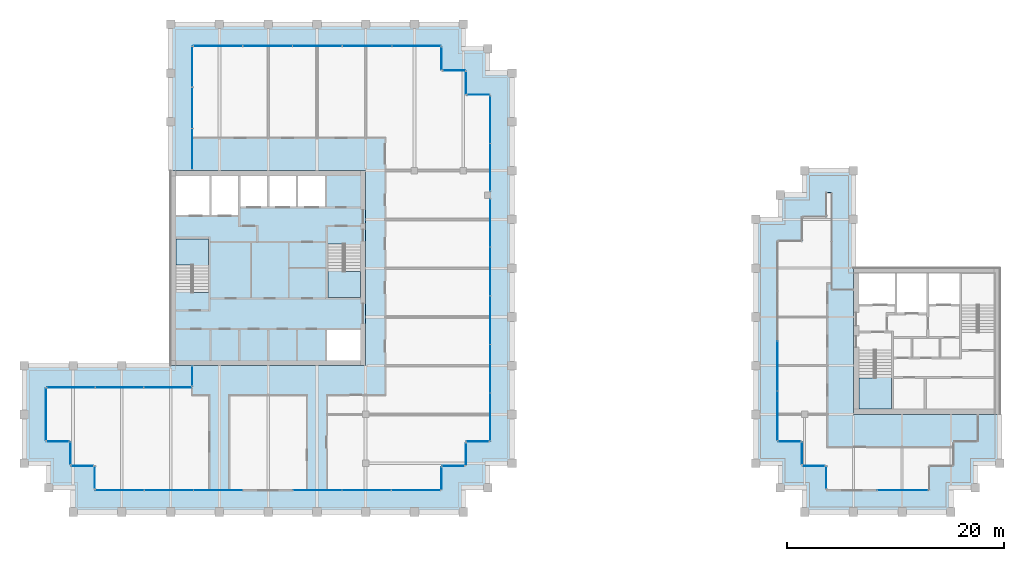
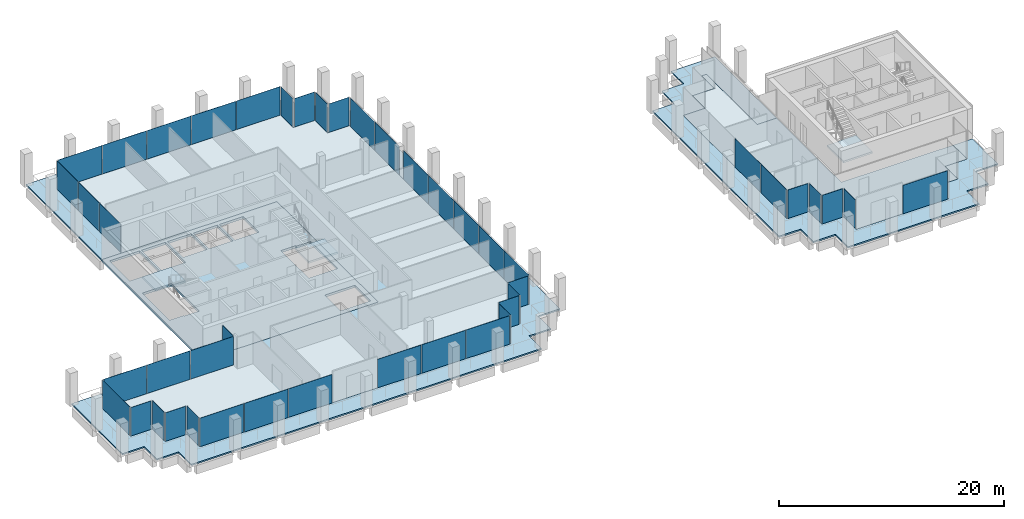
# One storey, part 34 of 41: 45 plates, 8 slabs, 30 elements without a shape of their own.
"""IFC4 building model written with IfcOpenShell, lengths in metres."""

from ifc_helpers import new_model, si_unit, direction, frame, origin, origin_2d, place, context, subcontext, project, spatial, polyline, rectangle, outline, extrude, material, layer, layer_set, type_object, element, aggregate, save


model = new_model("IFC4")

# Units and contexts
model_context = context("Model", 3, precision=1e-05, world=origin(), true_north=direction((0.0, 1.0)))
body_context = subcontext(model_context, "Body", "Model", "MODEL_VIEW")
ifc_project = project(units=[si_unit("LENGTHUNIT", "METRE"), si_unit("AREAUNIT", "SQUARE_METRE"), si_unit("VOLUMEUNIT", "CUBIC_METRE"), si_unit("PLANEANGLEUNIT", "RADIAN"), si_unit("MASSUNIT", "GRAM", prefix="KILO")], contexts=[model_context])

# Site, building, storey
site_placement = place(None, origin())
site = spatial("IfcSite", under=ifc_project, at=site_placement, CompositionType="ELEMENT")
building_placement = place(site_placement, origin())
building = spatial("IfcBuilding", under=site, at=building_placement, Name="Altepetl Exchange Towers", CompositionType="ELEMENT")
storey_placement = place(building_placement, frame((0.0, 0.0, 206.39990234375)))
storey = spatial("IfcBuildingStorey", under=building, at=storey_placement, Name="L52", CompositionType="ELEMENT", Elevation=206.39990234375)

# Slabs
ifc_material_1 = material(Name="Concrete C40/50", Category="concrete")
ifc_layer_1 = layer(ifc_material_1, 0.14990234375)
ifc_layer_set_1 = layer_set([ifc_layer_1], Name="Concrete C40/50")
slab_type_1 = type_object("IfcSlabType", Name="Composite floor slab 150", PredefinedType="FLOOR", material=ifc_layer_set_1)
slab_1_placement = place(storey_placement, frame((0.0, 0.0, -0.14990234375)))
element("IfcSlab", 1, at=slab_1_placement, inside=storey, type_object=slab_type_1, Name="slab:A:L52:strip0", PredefinedType="FLOOR", context=body_context, shape_type="SweptSolid", body=[
    extrude(outline(polyline([(42.5, 70.0), (42.5, 58.5), (58.5, 58.5), (58.5, 40.5), (42.5, 40.5), (42.5, 38.5), (29.0, 38.5), (29.0, 33.5), (31.25, 33.5), (31.25, 31.25), (33.5, 31.25), (33.5, 29.0), (65.5, 29.0), (65.5, 31.25), (67.75, 31.25), (67.75, 33.5), (70.0, 33.5), (70.0, 65.5), (67.75, 65.5), (67.75, 67.75), (65.5, 67.75), (65.5, 70.0), (42.5, 70.0)])), origin(), (0.0, 0.0, 1.0), 0.14990234375),
])
slab_2_placement = place(storey_placement, frame((0.0, 0.0, -0.14990234375)))
element("IfcSlab", 2, at=slab_2_placement, inside=storey, type_object=slab_type_1, Name="slab:B:L52:strip0", PredefinedType="FLOOR", context=body_context, shape_type="SweptSolid", body=[
    extrude(outline(polyline([(98.75, 31.25), (101.0, 31.25), (101.0, 29.0), (110.5, 29.0), (110.5, 31.25), (112.75, 31.25), (112.75, 33.5), (115.0, 33.5), (115.0, 36.0), (103.5, 36.0), (103.5, 47.5), (101.5, 47.5), (101.5, 56.5), (101.0, 56.5), (101.0, 54.25), (98.75, 54.25), (98.75, 52.0), (96.5, 52.0), (96.5, 33.5), (98.75, 33.5), (98.75, 31.25)])), origin(), (0.0, 0.0, 1.0), 0.14990234375),
])
ifc_layer_2 = layer(ifc_material_1, 0.25)
ifc_layer_set_2 = layer_set([ifc_layer_2], Name="Concrete C40/50")
slab_type_2 = type_object("IfcSlabType", Name="Core floor slab 250", PredefinedType="FLOOR", material=ifc_layer_set_2)
slab_3_placement = place(storey_placement, frame((0.0, 0.0, -0.25)))
element("IfcSlab", 3, at=slab_3_placement, inside=storey, type_object=slab_type_2, Name="slab:A:L52:core0", PredefinedType="FLOOR", context=body_context, shape_type="SweptSolid", body=[
    extrude(outline(polyline([(40.5, 40.5), (58.5, 40.5), (58.5, 58.5), (40.5, 58.5), (40.5, 40.5)]), holes=[polyline([(54.93310546875, 43.800048828125), (58.0, 43.800048828125), (58.0, 41.0), (54.93310546875, 41.0), (54.93310546875, 43.800048828125)]), polyline([(55.0, 51.7490234375), (56.550048828125, 51.7490234375), (56.550048828125, 51.64990234375), (58.0, 51.64990234375), (58.0, 46.800048828125), (55.0, 46.800048828125), (55.0, 51.7490234375)]), polyline([(44.0, 47.2509765625), (42.449951171875, 47.2509765625), (42.449951171875, 47.35009765625), (41.0, 47.35009765625), (41.0, 52.199951171875), (44.0, 52.199951171875), (44.0, 47.2509765625)]), polyline([(41.0, 58.0), (44.06689453125, 58.0), (44.06689453125, 54.39990234375), (41.0, 54.39990234375), (41.0, 58.0)]), polyline([(44.26708984375, 58.0), (46.73291015625, 58.0), (46.73291015625, 54.39990234375), (44.26708984375, 54.39990234375), (44.26708984375, 58.0)]), polyline([(46.93310546875, 58.0), (49.39990234375, 58.0), (49.39990234375, 55.199951171875), (46.93310546875, 55.199951171875), (46.93310546875, 58.0)]), polyline([(49.60009765625, 58.0), (52.06689453125, 58.0), (52.06689453125, 55.199951171875), (49.60009765625, 55.199951171875), (49.60009765625, 58.0)]), polyline([(52.26708984375, 58.0), (54.73291015625, 58.0), (54.73291015625, 55.199951171875), (52.26708984375, 55.199951171875), (52.26708984375, 58.0)])]), origin(), (0.0, 0.0, 1.0), 0.25),
])

# Curtain wall, plate
ifc_material_2 = material(Name="Aluminium 6063-T6 glazing", Category="aluminium")
curtain_wall_type = type_object("IfcCurtainWallType", Name="Loggia glazing system", PredefinedType="NOTDEFINED", material=ifc_material_2)
curtain_wall_1_placement = place(storey_placement, origin())
curtain_wall_1 = element("IfcCurtainWall", 4, at=curtain_wall_1_placement, inside=storey, type_object=curtain_wall_type, Name="CW1 run", PredefinedType="NOTDEFINED")
ifc_material_3 = material(Name="Glass 6-16-6 low emissivity", Category="glass")
ifc_layer_3 = layer(ifc_material_3, 0.028076171875)
ifc_layer_set_3 = layer_set([ifc_layer_3], Name="Glass 6-16-6 low emissivity")
plate_type = type_object("IfcPlateType", Name="Glass panel 28 double glazed", PredefinedType="CURTAIN_PANEL", material=ifc_layer_set_3)
plate_1_placement = place(storey_placement, frame((42.5, 39.53759765625, 0.0), z_axis=(0.0, 0.0, 1.0), x_axis=(0.0, -1.0, 0.0)))
plate_1 = element("IfcPlate", 5, at=plate_1_placement, type_object=plate_type, Name="GP1 panel", PredefinedType="CURTAIN_PANEL", context=body_context, shape_type="SweptSolid", body=[
    extrude(rectangle(XDim=1.804931640625, YDim=0.028076171875, at=origin_2d()), origin(), (0.0, 0.0, 1.0), 3.10009765625),
])
aggregate(curtain_wall_1, [plate_1])

# Curtain wall, plates
curtain_wall_2_placement = place(storey_placement, origin())
curtain_wall_2 = element("IfcCurtainWall", 6, at=curtain_wall_2_placement, inside=storey, type_object=curtain_wall_type, Name="CW1 run", PredefinedType="NOTDEFINED")
plate_2_placement = place(storey_placement, frame((40.24755859375, 38.5, 0.0), z_axis=(0.0, 0.0, 1.0), x_axis=(-1.0, 0.0, 0.0)))
plate_2 = element("IfcPlate", 7, at=plate_2_placement, type_object=plate_type, Name="GP1 panel", PredefinedType="CURTAIN_PANEL", context=body_context, shape_type="SweptSolid", body=[
    extrude(rectangle(XDim=4.385009765625, YDim=0.028076171875, at=origin_2d()), origin(), (0.0, 0.0, 1.0), 3.10009765625),
])
plate_3_placement = place(storey_placement, frame((35.78759765625, 38.5, 0.0), z_axis=(0.0, 0.0, 1.0), x_axis=(-1.0, 0.0, 0.0)))
plate_3 = element("IfcPlate", 8, at=plate_3_placement, type_object=plate_type, Name="GP1 panel", PredefinedType="CURTAIN_PANEL", context=body_context, shape_type="SweptSolid", body=[
    extrude(rectangle(XDim=4.4150390625, YDim=0.028076171875, at=origin_2d()), origin(), (0.0, 0.0, 1.0), 3.10009765625),
])
plate_4_placement = place(storey_placement, frame((31.327392578125, 38.5, 0.0), z_axis=(0.0, 0.0, 1.0), x_axis=(-1.0, 0.0, 0.0)))
plate_4 = element("IfcPlate", 9, at=plate_4_placement, type_object=plate_type, Name="GP1 panel", PredefinedType="CURTAIN_PANEL", context=body_context, shape_type="SweptSolid", body=[
    extrude(rectangle(XDim=4.385009765625, YDim=0.028076171875, at=origin_2d()), origin(), (0.0, 0.0, 1.0), 3.10009765625),
])
aggregate(curtain_wall_2, [plate_2, plate_3, plate_4])

# Curtain wall, plate
curtain_wall_3_placement = place(storey_placement, origin())
curtain_wall_3 = element("IfcCurtainWall", 10, at=curtain_wall_3_placement, inside=storey, type_object=curtain_wall_type, Name="CW1 run", PredefinedType="NOTDEFINED")
plate_5_placement = place(storey_placement, frame((29.0, 36.03759765625, 0.0), z_axis=(0.0, 0.0, 1.0), x_axis=(0.0, -1.0, 0.0)))
plate_5 = element("IfcPlate", 11, at=plate_5_placement, type_object=plate_type, Name="GP1 panel", PredefinedType="CURTAIN_PANEL", context=body_context, shape_type="SweptSolid", body=[
    extrude(rectangle(XDim=4.804931640625, YDim=0.028076171875, at=origin_2d()), origin(), (0.0, 0.0, 1.0), 3.10009765625),
])
aggregate(curtain_wall_3, [plate_5])

curtain_wall_4_placement = place(storey_placement, origin())
curtain_wall_4 = element("IfcCurtainWall", 12, at=curtain_wall_4_placement, inside=storey, type_object=curtain_wall_type, Name="CW1 run", PredefinedType="NOTDEFINED")
plate_6_placement = place(storey_placement, frame((30.08740234375, 33.5, 0.0)))
plate_6 = element("IfcPlate", 13, at=plate_6_placement, type_object=plate_type, Name="GP1 panel", PredefinedType="CURTAIN_PANEL", context=body_context, shape_type="SweptSolid", body=[
    extrude(rectangle(XDim=2.054931640625, YDim=0.028076171875, at=origin_2d()), origin(), (0.0, 0.0, 1.0), 3.10009765625),
])
aggregate(curtain_wall_4, [plate_6])

curtain_wall_5_placement = place(storey_placement, origin())
curtain_wall_5 = element("IfcCurtainWall", 14, at=curtain_wall_5_placement, inside=storey, type_object=curtain_wall_type, Name="CW1 run", PredefinedType="NOTDEFINED")
plate_7_placement = place(storey_placement, frame((31.25, 32.41259765625, 0.0), z_axis=(0.0, 0.0, 1.0), x_axis=(0.0, -1.0, 0.0)))
plate_7 = element("IfcPlate", 15, at=plate_7_placement, type_object=plate_type, Name="GP1 panel", PredefinedType="CURTAIN_PANEL", context=body_context, shape_type="SweptSolid", body=[
    extrude(rectangle(XDim=2.054931640625, YDim=0.028076171875, at=origin_2d()), origin(), (0.0, 0.0, 1.0), 3.10009765625),
])
aggregate(curtain_wall_5, [plate_7])

curtain_wall_6_placement = place(storey_placement, origin())
curtain_wall_6 = element("IfcCurtainWall", 16, at=curtain_wall_6_placement, inside=storey, type_object=curtain_wall_type, Name="CW1 run", PredefinedType="NOTDEFINED")
plate_8_placement = place(storey_placement, frame((32.33740234375, 31.25, 0.0)))
plate_8 = element("IfcPlate", 17, at=plate_8_placement, type_object=plate_type, Name="GP1 panel", PredefinedType="CURTAIN_PANEL", context=body_context, shape_type="SweptSolid", body=[
    extrude(rectangle(XDim=2.054931640625, YDim=0.028076171875, at=origin_2d()), origin(), (0.0, 0.0, 1.0), 3.10009765625),
])
aggregate(curtain_wall_6, [plate_8])

curtain_wall_7_placement = place(storey_placement, origin())
curtain_wall_7 = element("IfcCurtainWall", 18, at=curtain_wall_7_placement, inside=storey, type_object=curtain_wall_type, Name="CW1 run", PredefinedType="NOTDEFINED")
plate_9_placement = place(storey_placement, frame((33.5, 30.16259765625, 0.0), z_axis=(0.0, 0.0, 1.0), x_axis=(0.0, -1.0, 0.0)))
plate_9 = element("IfcPlate", 19, at=plate_9_placement, type_object=plate_type, Name="GP1 panel", PredefinedType="CURTAIN_PANEL", context=body_context, shape_type="SweptSolid", body=[
    extrude(rectangle(XDim=2.054931640625, YDim=0.028076171875, at=origin_2d()), origin(), (0.0, 0.0, 1.0), 3.10009765625),
])
aggregate(curtain_wall_7, [plate_9])

# Curtain wall, plates
curtain_wall_8_placement = place(storey_placement, origin())
curtain_wall_8 = element("IfcCurtainWall", 20, at=curtain_wall_8_placement, inside=storey, type_object=curtain_wall_type, Name="CW1 run", PredefinedType="NOTDEFINED")
plate_10_placement = place(storey_placement, frame((35.79541015625, 29.0, 0.0)))
plate_10 = element("IfcPlate", 21, at=plate_10_placement, type_object=plate_type, Name="GP1 panel", PredefinedType="CURTAIN_PANEL", context=body_context, shape_type="SweptSolid", body=[
    extrude(rectangle(XDim=4.470703125, YDim=0.028076171875, at=origin_2d()), origin(), (0.0, 0.0, 1.0), 3.10009765625),
])
plate_11_placement = place(storey_placement, frame((40.341064453125, 29.0, 0.0)))
plate_11 = element("IfcPlate", 22, at=plate_11_placement, type_object=plate_type, Name="GP1 panel", PredefinedType="CURTAIN_PANEL", context=body_context, shape_type="SweptSolid", body=[
    extrude(rectangle(XDim=4.500732421875, YDim=0.028076171875, at=origin_2d()), origin(), (0.0, 0.0, 1.0), 3.10009765625),
])
plate_12_placement = place(storey_placement, frame((44.88671875, 29.0, 0.0)))
plate_12 = element("IfcPlate", 23, at=plate_12_placement, type_object=plate_type, Name="GP1 panel", PredefinedType="CURTAIN_PANEL", context=body_context, shape_type="SweptSolid", body=[
    extrude(rectangle(XDim=4.470703125, YDim=0.028076171875, at=origin_2d()), origin(), (0.0, 0.0, 1.0), 3.10009765625),
])
aggregate(curtain_wall_8, [plate_10, plate_11, plate_12])

curtain_wall_9_placement = place(storey_placement, origin())
curtain_wall_9 = element("IfcCurtainWall", 24, at=curtain_wall_9_placement, inside=storey, type_object=curtain_wall_type, Name="CW1 run", PredefinedType="NOTDEFINED")
plate_13_placement = place(storey_placement, frame((54.038330078125, 29.0, 0.0)))
plate_13 = element("IfcPlate", 25, at=plate_13_placement, type_object=plate_type, Name="GP1 panel", PredefinedType="CURTAIN_PANEL", context=body_context, shape_type="SweptSolid", body=[
    extrude(rectangle(XDim=4.470703125, YDim=0.028076171875, at=origin_2d()), origin(), (0.0, 0.0, 1.0), 3.10009765625),
])
plate_14_placement = place(storey_placement, frame((58.583984375, 29.0, 0.0)))
plate_14 = element("IfcPlate", 26, at=plate_14_placement, type_object=plate_type, Name="GP1 panel", PredefinedType="CURTAIN_PANEL", context=body_context, shape_type="SweptSolid", body=[
    extrude(rectangle(XDim=4.500732421875, YDim=0.028076171875, at=origin_2d()), origin(), (0.0, 0.0, 1.0), 3.10009765625),
])
plate_15_placement = place(storey_placement, frame((63.129638671875, 29.0, 0.0)))
plate_15 = element("IfcPlate", 27, at=plate_15_placement, type_object=plate_type, Name="GP1 panel", PredefinedType="CURTAIN_PANEL", context=body_context, shape_type="SweptSolid", body=[
    extrude(rectangle(XDim=4.470703125, YDim=0.028076171875, at=origin_2d()), origin(), (0.0, 0.0, 1.0), 3.10009765625),
])
aggregate(curtain_wall_9, [plate_13, plate_14, plate_15])

# Curtain wall, plate
curtain_wall_10_placement = place(storey_placement, origin())
curtain_wall_10 = element("IfcCurtainWall", 28, at=curtain_wall_10_placement, inside=storey, type_object=curtain_wall_type, Name="CW1 run", PredefinedType="NOTDEFINED")
plate_16_placement = place(storey_placement, frame((65.5, 30.08740234375, 0.0), z_axis=(0.0, 0.0, 1.0), x_axis=(0.0, 1.0, 0.0)))
plate_16 = element("IfcPlate", 29, at=plate_16_placement, type_object=plate_type, Name="GP1 panel", PredefinedType="CURTAIN_PANEL", context=body_context, shape_type="SweptSolid", body=[
    extrude(rectangle(XDim=2.054931640625, YDim=0.028076171875, at=origin_2d()), origin(), (0.0, 0.0, 1.0), 3.10009765625),
])
aggregate(curtain_wall_10, [plate_16])

curtain_wall_11_placement = place(storey_placement, origin())
curtain_wall_11 = element("IfcCurtainWall", 30, at=curtain_wall_11_placement, inside=storey, type_object=curtain_wall_type, Name="CW1 run", PredefinedType="NOTDEFINED")
plate_17_placement = place(storey_placement, frame((66.58740234375, 31.25, 0.0)))
plate_17 = element("IfcPlate", 31, at=plate_17_placement, type_object=plate_type, Name="GP1 panel", PredefinedType="CURTAIN_PANEL", context=body_context, shape_type="SweptSolid", body=[
    extrude(rectangle(XDim=2.054931640625, YDim=0.028076171875, at=origin_2d()), origin(), (0.0, 0.0, 1.0), 3.10009765625),
])
aggregate(curtain_wall_11, [plate_17])

curtain_wall_12_placement = place(storey_placement, origin())
curtain_wall_12 = element("IfcCurtainWall", 32, at=curtain_wall_12_placement, inside=storey, type_object=curtain_wall_type, Name="CW1 run", PredefinedType="NOTDEFINED")
plate_18_placement = place(storey_placement, frame((67.75, 32.33740234375, 0.0), z_axis=(0.0, 0.0, 1.0), x_axis=(0.0, 1.0, 0.0)))
plate_18 = element("IfcPlate", 33, at=plate_18_placement, type_object=plate_type, Name="GP1 panel", PredefinedType="CURTAIN_PANEL", context=body_context, shape_type="SweptSolid", body=[
    extrude(rectangle(XDim=2.054931640625, YDim=0.028076171875, at=origin_2d()), origin(), (0.0, 0.0, 1.0), 3.10009765625),
])
aggregate(curtain_wall_12, [plate_18])

curtain_wall_13_placement = place(storey_placement, origin())
curtain_wall_13 = element("IfcCurtainWall", 34, at=curtain_wall_13_placement, inside=storey, type_object=curtain_wall_type, Name="CW1 run", PredefinedType="NOTDEFINED")
plate_19_placement = place(storey_placement, frame((68.83740234375, 33.5, 0.0)))
plate_19 = element("IfcPlate", 35, at=plate_19_placement, type_object=plate_type, Name="GP1 panel", PredefinedType="CURTAIN_PANEL", context=body_context, shape_type="SweptSolid", body=[
    extrude(rectangle(XDim=2.054931640625, YDim=0.028076171875, at=origin_2d()), origin(), (0.0, 0.0, 1.0), 3.10009765625),
])
aggregate(curtain_wall_13, [plate_19])

# Curtain wall, plates
curtain_wall_14_placement = place(storey_placement, origin())
curtain_wall_14 = element("IfcCurtainWall", 36, at=curtain_wall_14_placement, inside=storey, type_object=curtain_wall_type, Name="CW1 run", PredefinedType="NOTDEFINED")
plate_20_placement = place(storey_placement, frame((70.0, 35.758056640625, 0.0), z_axis=(0.0, 0.0, 1.0), x_axis=(0.0, 1.0, 0.0)))
plate_20 = element("IfcPlate", 37, at=plate_20_placement, type_object=plate_type, Name="GP1 panel", PredefinedType="CURTAIN_PANEL", context=body_context, shape_type="SweptSolid", body=[
    extrude(rectangle(XDim=4.39599609375, YDim=0.028076171875, at=origin_2d()), origin(), (0.0, 0.0, 1.0), 3.10009765625),
])
plate_21_placement = place(storey_placement, frame((70.0, 40.22900390625, 0.0), z_axis=(0.0, 0.0, 1.0), x_axis=(0.0, 1.0, 0.0)))
plate_21 = element("IfcPlate", 38, at=plate_21_placement, type_object=plate_type, Name="GP1 panel", PredefinedType="CURTAIN_PANEL", context=body_context, shape_type="SweptSolid", body=[
    extrude(rectangle(XDim=4.426025390625, YDim=0.028076171875, at=origin_2d()), origin(), (0.0, 0.0, 1.0), 3.10009765625),
])
plate_22_placement = place(storey_placement, frame((70.0, 44.715087890625, 0.0), z_axis=(0.0, 0.0, 1.0), x_axis=(0.0, 1.0, 0.0)))
plate_22 = element("IfcPlate", 39, at=plate_22_placement, type_object=plate_type, Name="GP1 panel", PredefinedType="CURTAIN_PANEL", context=body_context, shape_type="SweptSolid", body=[
    extrude(rectangle(XDim=4.426025390625, YDim=0.028076171875, at=origin_2d()), origin(), (0.0, 0.0, 1.0), 3.10009765625),
])
plate_23_placement = place(storey_placement, frame((70.0, 49.200927734375, 0.0), z_axis=(0.0, 0.0, 1.0), x_axis=(0.0, 1.0, 0.0)))
plate_23 = element("IfcPlate", 40, at=plate_23_placement, type_object=plate_type, Name="GP1 panel", PredefinedType="CURTAIN_PANEL", context=body_context, shape_type="SweptSolid", body=[
    extrude(rectangle(XDim=4.426025390625, YDim=0.028076171875, at=origin_2d()), origin(), (0.0, 0.0, 1.0), 3.10009765625),
])
plate_24_placement = place(storey_placement, frame((70.0, 53.672119140625, 0.0), z_axis=(0.0, 0.0, 1.0), x_axis=(0.0, 1.0, 0.0)))
plate_24 = element("IfcPlate", 41, at=plate_24_placement, type_object=plate_type, Name="GP1 panel", PredefinedType="CURTAIN_PANEL", context=body_context, shape_type="SweptSolid", body=[
    extrude(rectangle(XDim=4.39599609375, YDim=0.028076171875, at=origin_2d()), origin(), (0.0, 0.0, 1.0), 3.10009765625),
])
aggregate(curtain_wall_14, [plate_20, plate_21, plate_22, plate_23, plate_24])

curtain_wall_15_placement = place(storey_placement, origin())
curtain_wall_15 = element("IfcCurtainWall", 42, at=curtain_wall_15_placement, inside=storey, type_object=curtain_wall_type, Name="CW1 run", PredefinedType="NOTDEFINED")
plate_25_placement = place(storey_placement, frame((70.0, 58.798828125, 0.0), z_axis=(0.0, 0.0, 1.0), x_axis=(0.0, 1.0, 0.0)))
plate_25 = element("IfcPlate", 43, at=plate_25_placement, type_object=plate_type, Name="GP1 panel", PredefinedType="CURTAIN_PANEL", context=body_context, shape_type="SweptSolid", body=[
    extrude(rectangle(XDim=4.33740234375, YDim=0.028076171875, at=origin_2d()), origin(), (0.0, 0.0, 1.0), 3.10009765625),
])
plate_26_placement = place(storey_placement, frame((70.0, 63.1962890625, 0.0), z_axis=(0.0, 0.0, 1.0), x_axis=(0.0, 1.0, 0.0)))
plate_26 = element("IfcPlate", 44, at=plate_26_placement, type_object=plate_type, Name="GP1 panel", PredefinedType="CURTAIN_PANEL", context=body_context, shape_type="SweptSolid", body=[
    extrude(rectangle(XDim=4.33740234375, YDim=0.028076171875, at=origin_2d()), origin(), (0.0, 0.0, 1.0), 3.10009765625),
])
aggregate(curtain_wall_15, [plate_25, plate_26])

# Curtain wall, plate
curtain_wall_16_placement = place(storey_placement, origin())
curtain_wall_16 = element("IfcCurtainWall", 45, at=curtain_wall_16_placement, inside=storey, type_object=curtain_wall_type, Name="CW1 run", PredefinedType="NOTDEFINED")
plate_27_placement = place(storey_placement, frame((68.91259765625, 65.5, 0.0), z_axis=(0.0, 0.0, 1.0), x_axis=(-1.0, 0.0, 0.0)))
plate_27 = element("IfcPlate", 46, at=plate_27_placement, type_object=plate_type, Name="GP1 panel", PredefinedType="CURTAIN_PANEL", context=body_context, shape_type="SweptSolid", body=[
    extrude(rectangle(XDim=2.054931640625, YDim=0.028076171875, at=origin_2d()), origin(), (0.0, 0.0, 1.0), 3.10009765625),
])
aggregate(curtain_wall_16, [plate_27])

curtain_wall_17_placement = place(storey_placement, origin())
curtain_wall_17 = element("IfcCurtainWall", 47, at=curtain_wall_17_placement, inside=storey, type_object=curtain_wall_type, Name="CW1 run", PredefinedType="NOTDEFINED")
plate_28_placement = place(storey_placement, frame((67.75, 66.58740234375, 0.0), z_axis=(0.0, 0.0, 1.0), x_axis=(0.0, 1.0, 0.0)))
plate_28 = element("IfcPlate", 48, at=plate_28_placement, type_object=plate_type, Name="GP1 panel", PredefinedType="CURTAIN_PANEL", context=body_context, shape_type="SweptSolid", body=[
    extrude(rectangle(XDim=2.054931640625, YDim=0.028076171875, at=origin_2d()), origin(), (0.0, 0.0, 1.0), 3.10009765625),
])
aggregate(curtain_wall_17, [plate_28])

curtain_wall_18_placement = place(storey_placement, origin())
curtain_wall_18 = element("IfcCurtainWall", 49, at=curtain_wall_18_placement, inside=storey, type_object=curtain_wall_type, Name="CW1 run", PredefinedType="NOTDEFINED")
plate_29_placement = place(storey_placement, frame((66.66259765625, 67.75, 0.0), z_axis=(0.0, 0.0, 1.0), x_axis=(-1.0, 0.0, 0.0)))
plate_29 = element("IfcPlate", 50, at=plate_29_placement, type_object=plate_type, Name="GP1 panel", PredefinedType="CURTAIN_PANEL", context=body_context, shape_type="SweptSolid", body=[
    extrude(rectangle(XDim=2.054931640625, YDim=0.028076171875, at=origin_2d()), origin(), (0.0, 0.0, 1.0), 3.10009765625),
])
aggregate(curtain_wall_18, [plate_29])

curtain_wall_19_placement = place(storey_placement, origin())
curtain_wall_19 = element("IfcCurtainWall", 51, at=curtain_wall_19_placement, inside=storey, type_object=curtain_wall_type, Name="CW1 run", PredefinedType="NOTDEFINED")
plate_30_placement = place(storey_placement, frame((65.5, 68.83740234375, 0.0), z_axis=(0.0, 0.0, 1.0), x_axis=(0.0, 1.0, 0.0)))
plate_30 = element("IfcPlate", 52, at=plate_30_placement, type_object=plate_type, Name="GP1 panel", PredefinedType="CURTAIN_PANEL", context=body_context, shape_type="SweptSolid", body=[
    extrude(rectangle(XDim=2.054931640625, YDim=0.028076171875, at=origin_2d()), origin(), (0.0, 0.0, 1.0), 3.10009765625),
])
aggregate(curtain_wall_19, [plate_30])

# Curtain wall, plates
curtain_wall_20_placement = place(storey_placement, origin())
curtain_wall_20 = element("IfcCurtainWall", 53, at=curtain_wall_20_placement, inside=storey, type_object=curtain_wall_type, Name="CW1 run", PredefinedType="NOTDEFINED")
plate_31_placement = place(storey_placement, frame((63.1923828125, 70.0, 0.0), z_axis=(0.0, 0.0, 1.0), x_axis=(-1.0, 0.0, 0.0)))
plate_31 = element("IfcPlate", 54, at=plate_31_placement, type_object=plate_type, Name="GP1 panel", PredefinedType="CURTAIN_PANEL", context=body_context, shape_type="SweptSolid", body=[
    extrude(rectangle(XDim=4.4951171875, YDim=0.028076171875, at=origin_2d()), origin(), (0.0, 0.0, 1.0), 3.10009765625),
])
plate_32_placement = place(storey_placement, frame((58.62255859375, 70.0, 0.0), z_axis=(0.0, 0.0, 1.0), x_axis=(-1.0, 0.0, 0.0)))
plate_32 = element("IfcPlate", 55, at=plate_32_placement, type_object=plate_type, Name="GP1 panel", PredefinedType="CURTAIN_PANEL", context=body_context, shape_type="SweptSolid", body=[
    extrude(rectangle(XDim=4.52490234375, YDim=0.028076171875, at=origin_2d()), origin(), (0.0, 0.0, 1.0), 3.10009765625),
])
plate_33_placement = place(storey_placement, frame((54.03759765625, 70.0, 0.0), z_axis=(0.0, 0.0, 1.0), x_axis=(-1.0, 0.0, 0.0)))
plate_33 = element("IfcPlate", 56, at=plate_33_placement, type_object=plate_type, Name="GP1 panel", PredefinedType="CURTAIN_PANEL", context=body_context, shape_type="SweptSolid", body=[
    extrude(rectangle(XDim=4.52490234375, YDim=0.028076171875, at=origin_2d()), origin(), (0.0, 0.0, 1.0), 3.10009765625),
])
plate_34_placement = place(storey_placement, frame((49.452392578125, 70.0, 0.0), z_axis=(0.0, 0.0, 1.0), x_axis=(-1.0, 0.0, 0.0)))
plate_34 = element("IfcPlate", 57, at=plate_34_placement, type_object=plate_type, Name="GP1 panel", PredefinedType="CURTAIN_PANEL", context=body_context, shape_type="SweptSolid", body=[
    extrude(rectangle(XDim=4.52490234375, YDim=0.028076171875, at=origin_2d()), origin(), (0.0, 0.0, 1.0), 3.10009765625),
])
plate_35_placement = place(storey_placement, frame((44.882568359375, 70.0, 0.0), z_axis=(0.0, 0.0, 1.0), x_axis=(-1.0, 0.0, 0.0)))
plate_35 = element("IfcPlate", 58, at=plate_35_placement, type_object=plate_type, Name="GP1 panel", PredefinedType="CURTAIN_PANEL", context=body_context, shape_type="SweptSolid", body=[
    extrude(rectangle(XDim=4.4951171875, YDim=0.028076171875, at=origin_2d()), origin(), (0.0, 0.0, 1.0), 3.10009765625),
])
aggregate(curtain_wall_20, [plate_31, plate_32, plate_33, plate_34, plate_35])

curtain_wall_21_placement = place(storey_placement, origin())
curtain_wall_21 = element("IfcCurtainWall", 59, at=curtain_wall_21_placement, inside=storey, type_object=curtain_wall_type, Name="CW1 run", PredefinedType="NOTDEFINED")
plate_36_placement = place(storey_placement, frame((42.5, 68.080810546875, 0.0), z_axis=(0.0, 0.0, 1.0), x_axis=(0.0, -1.0, 0.0)))
plate_36 = element("IfcPlate", 60, at=plate_36_placement, type_object=plate_type, Name="GP1 panel", PredefinedType="CURTAIN_PANEL", context=body_context, shape_type="SweptSolid", body=[
    extrude(rectangle(XDim=3.71826171875, YDim=0.028076171875, at=origin_2d()), origin(), (0.0, 0.0, 1.0), 3.10009765625),
])
plate_37_placement = place(storey_placement, frame((42.5, 64.28759765625, 0.0), z_axis=(0.0, 0.0, 1.0), x_axis=(0.0, -1.0, 0.0)))
plate_37 = element("IfcPlate", 61, at=plate_37_placement, type_object=plate_type, Name="GP1 panel", PredefinedType="CURTAIN_PANEL", context=body_context, shape_type="SweptSolid", body=[
    extrude(rectangle(XDim=3.748291015625, YDim=0.028076171875, at=origin_2d()), origin(), (0.0, 0.0, 1.0), 3.10009765625),
])
plate_38_placement = place(storey_placement, frame((42.5, 60.494140625, 0.0), z_axis=(0.0, 0.0, 1.0), x_axis=(0.0, -1.0, 0.0)))
plate_38 = element("IfcPlate", 62, at=plate_38_placement, type_object=plate_type, Name="GP1 panel", PredefinedType="CURTAIN_PANEL", context=body_context, shape_type="SweptSolid", body=[
    extrude(rectangle(XDim=3.71826171875, YDim=0.028076171875, at=origin_2d()), origin(), (0.0, 0.0, 1.0), 3.10009765625),
])
aggregate(curtain_wall_21, [plate_36, plate_37, plate_38])

# Curtain wall, plate
curtain_wall_22_placement = place(storey_placement, origin())
curtain_wall_22 = element("IfcCurtainWall", 63, at=curtain_wall_22_placement, inside=storey, type_object=curtain_wall_type, Name="CW1 run", PredefinedType="NOTDEFINED")
plate_39_placement = place(storey_placement, frame((101.0, 30.16259765625, 0.0), z_axis=(0.0, 0.0, 1.0), x_axis=(0.0, -1.0, 0.0)))
plate_39 = element("IfcPlate", 64, at=plate_39_placement, type_object=plate_type, Name="GP1 panel", PredefinedType="CURTAIN_PANEL", context=body_context, shape_type="SweptSolid", body=[
    extrude(rectangle(XDim=2.054931640625, YDim=0.028076171875, at=origin_2d()), origin(), (0.0, 0.0, 1.0), 3.10009765625),
])
aggregate(curtain_wall_22, [plate_39])

curtain_wall_23_placement = place(storey_placement, origin())
curtain_wall_23 = element("IfcCurtainWall", 65, at=curtain_wall_23_placement, inside=storey, type_object=curtain_wall_type, Name="CW1 run", PredefinedType="NOTDEFINED")
plate_40_placement = place(storey_placement, frame((108.06884765625, 29.0, 0.0)))
plate_40 = element("IfcPlate", 66, at=plate_40_placement, type_object=plate_type, Name="GP1 panel", PredefinedType="CURTAIN_PANEL", context=body_context, shape_type="SweptSolid", body=[
    extrude(rectangle(XDim=4.592529296875, YDim=0.028076171875, at=origin_2d()), origin(), (0.0, 0.0, 1.0), 3.10009765625),
])
aggregate(curtain_wall_23, [plate_40])

# Curtain wall, plates
curtain_wall_24_placement = place(storey_placement, origin())
curtain_wall_24 = element("IfcCurtainWall", 67, at=curtain_wall_24_placement, inside=storey, type_object=curtain_wall_type, Name="CW1 run", PredefinedType="NOTDEFINED")
plate_41_placement = place(storey_placement, frame((96.5, 40.484375, 0.0), z_axis=(0.0, 0.0, 1.0), x_axis=(0.0, -1.0, 0.0)))
plate_41 = element("IfcPlate", 68, at=plate_41_placement, type_object=plate_type, Name="GP1 panel", PredefinedType="CURTAIN_PANEL", context=body_context, shape_type="SweptSolid", body=[
    extrude(rectangle(XDim=4.546142578125, YDim=0.028076171875, at=origin_2d()), origin(), (0.0, 0.0, 1.0), 3.10009765625),
])
plate_42_placement = place(storey_placement, frame((96.5, 35.89306640625, 0.0), z_axis=(0.0, 0.0, 1.0), x_axis=(0.0, -1.0, 0.0)))
plate_42 = element("IfcPlate", 69, at=plate_42_placement, type_object=plate_type, Name="GP1 panel", PredefinedType="CURTAIN_PANEL", context=body_context, shape_type="SweptSolid", body=[
    extrude(rectangle(XDim=4.516357421875, YDim=0.028076171875, at=origin_2d()), origin(), (0.0, 0.0, 1.0), 3.10009765625),
])
aggregate(curtain_wall_24, [plate_41, plate_42])

# Curtain wall, plate
curtain_wall_25_placement = place(storey_placement, origin())
curtain_wall_25 = element("IfcCurtainWall", 70, at=curtain_wall_25_placement, inside=storey, type_object=curtain_wall_type, Name="CW1 run", PredefinedType="NOTDEFINED")
plate_43_placement = place(storey_placement, frame((97.58740234375, 33.5, 0.0)))
plate_43 = element("IfcPlate", 71, at=plate_43_placement, type_object=plate_type, Name="GP1 panel", PredefinedType="CURTAIN_PANEL", context=body_context, shape_type="SweptSolid", body=[
    extrude(rectangle(XDim=2.054931640625, YDim=0.028076171875, at=origin_2d()), origin(), (0.0, 0.0, 1.0), 3.10009765625),
])
aggregate(curtain_wall_25, [plate_43])

curtain_wall_26_placement = place(storey_placement, origin())
curtain_wall_26 = element("IfcCurtainWall", 72, at=curtain_wall_26_placement, inside=storey, type_object=curtain_wall_type, Name="CW1 run", PredefinedType="NOTDEFINED")
plate_44_placement = place(storey_placement, frame((98.75, 32.41259765625, 0.0), z_axis=(0.0, 0.0, 1.0), x_axis=(0.0, -1.0, 0.0)))
plate_44 = element("IfcPlate", 73, at=plate_44_placement, type_object=plate_type, Name="GP1 panel", PredefinedType="CURTAIN_PANEL", context=body_context, shape_type="SweptSolid", body=[
    extrude(rectangle(XDim=2.054931640625, YDim=0.028076171875, at=origin_2d()), origin(), (0.0, 0.0, 1.0), 3.10009765625),
])
aggregate(curtain_wall_26, [plate_44])

curtain_wall_27_placement = place(storey_placement, origin())
curtain_wall_27 = element("IfcCurtainWall", 74, at=curtain_wall_27_placement, inside=storey, type_object=curtain_wall_type, Name="CW1 run", PredefinedType="NOTDEFINED")
plate_45_placement = place(storey_placement, frame((99.83740234375, 31.25, 0.0)))
plate_45 = element("IfcPlate", 75, at=plate_45_placement, type_object=plate_type, Name="GP1 panel", PredefinedType="CURTAIN_PANEL", context=body_context, shape_type="SweptSolid", body=[
    extrude(rectangle(XDim=2.054931640625, YDim=0.028076171875, at=origin_2d()), origin(), (0.0, 0.0, 1.0), 3.10009765625),
])
aggregate(curtain_wall_27, [plate_45])

# Slabs
ifc_layer_4 = layer(ifc_material_1, 0.14990234375)
ifc_layer_set_4 = layer_set([ifc_layer_4], Name="Concrete C40/50")
slab_type_3 = type_object("IfcSlabType", Name="Loggia slab 150", PredefinedType="FLOOR", material=ifc_layer_set_4)
slab_4_placement = place(storey_placement, frame((0.0, 0.0, -0.14990234375)))
element("IfcSlab", 76, at=slab_4_placement, inside=storey, type_object=slab_type_3, Name="slab:A:L52:loggia0", PredefinedType="FLOOR", context=body_context, shape_type="SweptSolid", body=[
    extrude(outline(polyline([(40.5, 72.0), (40.5, 58.5), (42.5, 58.5), (42.5, 70.0), (65.5, 70.0), (65.5, 67.75), (67.75, 67.75), (67.75, 65.5), (70.0, 65.5), (70.0, 33.5), (67.75, 33.5), (67.75, 31.25), (65.5, 31.25), (65.5, 29.0), (33.5, 29.0), (33.5, 31.25), (31.25, 31.25), (31.25, 33.5), (29.0, 33.5), (29.0, 38.5), (42.5, 38.5), (42.5, 40.5), (40.5, 40.5), (27.0, 40.5), (27.0, 31.5), (29.25, 31.5), (29.25, 29.25), (31.5, 29.25), (31.5, 27.0), (58.5, 27.0), (67.5, 27.0), (67.5, 29.25), (69.75, 29.25), (69.75, 31.5), (72.0, 31.5), (72.0, 58.5), (72.0, 67.5), (69.75, 67.5), (69.75, 69.75), (67.5, 69.75), (67.5, 72.0), (40.5, 72.0)])), origin(), (0.0, 0.0, 1.0), 0.14990234375),
])
slab_5_placement = place(storey_placement, frame((0.0, 0.0, -0.14990234375)))
element("IfcSlab", 77, at=slab_5_placement, inside=storey, type_object=slab_type_3, Name="slab:B:L52:loggia0", PredefinedType="FLOOR", context=body_context, shape_type="SweptSolid", body=[
    extrude(outline(polyline([(99.0, 29.25), (99.0, 27.0), (112.5, 27.0), (112.5, 29.25), (114.75, 29.25), (114.75, 31.5), (117.0, 31.5), (117.0, 36.0), (115.0, 36.0), (115.0, 33.5), (112.75, 33.5), (112.75, 31.25), (110.5, 31.25), (110.5, 29.0), (101.0, 29.0), (101.0, 31.25), (98.75, 31.25), (98.75, 33.5), (96.5, 33.5), (96.5, 52.0), (98.75, 52.0), (98.75, 54.25), (101.0, 54.25), (101.0, 56.5), (101.5, 56.5), (101.5, 47.5), (103.5, 47.5), (103.5, 49.5), (103.5, 58.5), (99.0, 58.5), (99.0, 56.25), (96.75, 56.25), (96.75, 54.0), (94.5, 54.0), (94.5, 36.0), (94.5, 31.5), (96.75, 31.5), (96.75, 29.25), (99.0, 29.25)])), origin(), (0.0, 0.0, 1.0), 0.14990234375),
])

# Stair, slab
stair_type = type_object("IfcStairType", Name="Exit stair 1450 flights dogleg", PredefinedType="HALF_TURN_STAIR", material=ifc_material_1)
stair_1_placement = place(storey_placement, origin())
stair_1 = element("IfcStair", 78, at=stair_1_placement, inside=storey, type_object=stair_type, Name="Exit stair 1", PredefinedType="HALF_TURN_STAIR")
ifc_layer_5 = layer(ifc_material_1, 0.199951171875)
ifc_layer_set_5 = layer_set([ifc_layer_5], Name="Concrete C40/50")
slab_type_4 = type_object("IfcSlabType", Name="Stair landing 200 reinforced concrete", PredefinedType="LANDING", material=ifc_layer_set_5)
slab_6_placement = place(storey_placement, frame((0.0, 0.0, 1.60009765625)))
slab_6 = element("IfcSlab", 79, at=slab_6_placement, type_object=slab_type_4, Name="ST-A1f landing 1", PredefinedType="LANDING", context=body_context, shape_type="SweptSolid", body=[
    extrude(outline(polyline([(44.0, 49.715087890625), (42.550048828125, 49.715087890625), (42.550048828125, 49.81494140625), (42.449951171875, 49.81494140625), (42.449951171875, 49.814208984375), (41.0, 49.814208984375), (41.0, 49.81494140625), (41.0, 52.199951171875), (44.0, 52.199951171875), (44.0, 49.81494140625), (44.0, 49.715087890625)])), origin(), (0.0, 0.0, 1.0), 0.199951171875),
])
aggregate(stair_1, [slab_6])

stair_2_placement = place(storey_placement, origin())
stair_2 = element("IfcStair", 80, at=stair_2_placement, inside=storey, type_object=stair_type, Name="Exit stair 2", PredefinedType="HALF_TURN_STAIR")
slab_7_placement = place(storey_placement, frame((0.0, 0.0, 1.60009765625)))
slab_7 = element("IfcSlab", 81, at=slab_7_placement, type_object=slab_type_4, Name="ST-A2f landing 1", PredefinedType="LANDING", context=body_context, shape_type="SweptSolid", body=[
    extrude(outline(polyline([(58.0, 46.800048828125), (55.0, 46.800048828125), (55.0, 49.18505859375), (55.0, 49.284912109375), (56.449951171875, 49.284912109375), (56.449951171875, 49.18505859375), (56.550048828125, 49.18505859375), (56.550048828125, 49.185791015625), (58.0, 49.185791015625), (58.0, 49.18505859375), (58.0, 46.800048828125)])), origin(), (0.0, 0.0, 1.0), 0.199951171875),
])
aggregate(stair_2, [slab_7])

stair_3_placement = place(storey_placement, origin())
stair_3 = element("IfcStair", 82, at=stair_3_placement, inside=storey, type_object=stair_type, Name="Exit stair 1", PredefinedType="HALF_TURN_STAIR")
slab_8_placement = place(storey_placement, frame((0.0, 0.0, 1.60009765625)))
slab_8 = element("IfcSlab", 83, at=slab_8_placement, type_object=slab_type_4, Name="ST-B1f landing 1", PredefinedType="LANDING", context=body_context, shape_type="SweptSolid", body=[
    extrude(outline(polyline([(107.0, 36.5), (104.0, 36.5), (104.0, 39.385009765625), (104.0, 39.3857421875), (105.449951171875, 39.3857421875), (105.449951171875, 39.385009765625), (105.550048828125, 39.385009765625), (105.550048828125, 39.485107421875), (107.0, 39.485107421875), (107.0, 39.385009765625), (107.0, 36.5)])), origin(), (0.0, 0.0, 1.0), 0.199951171875),
])
aggregate(stair_3, [slab_8])

save(model, "model.ifc")
